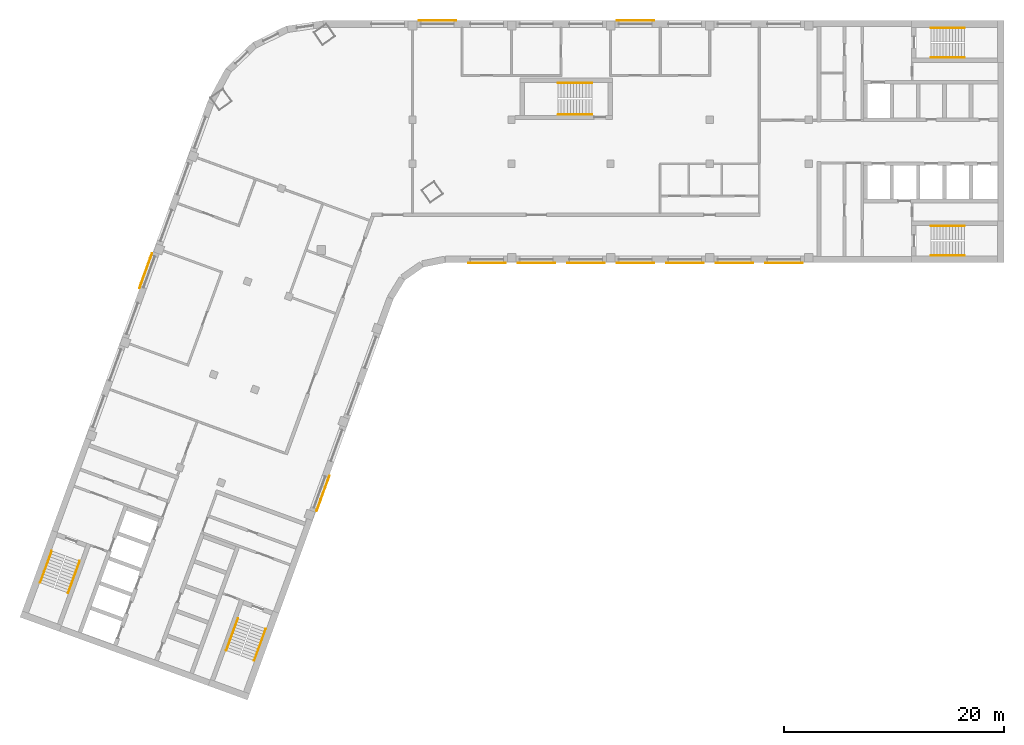
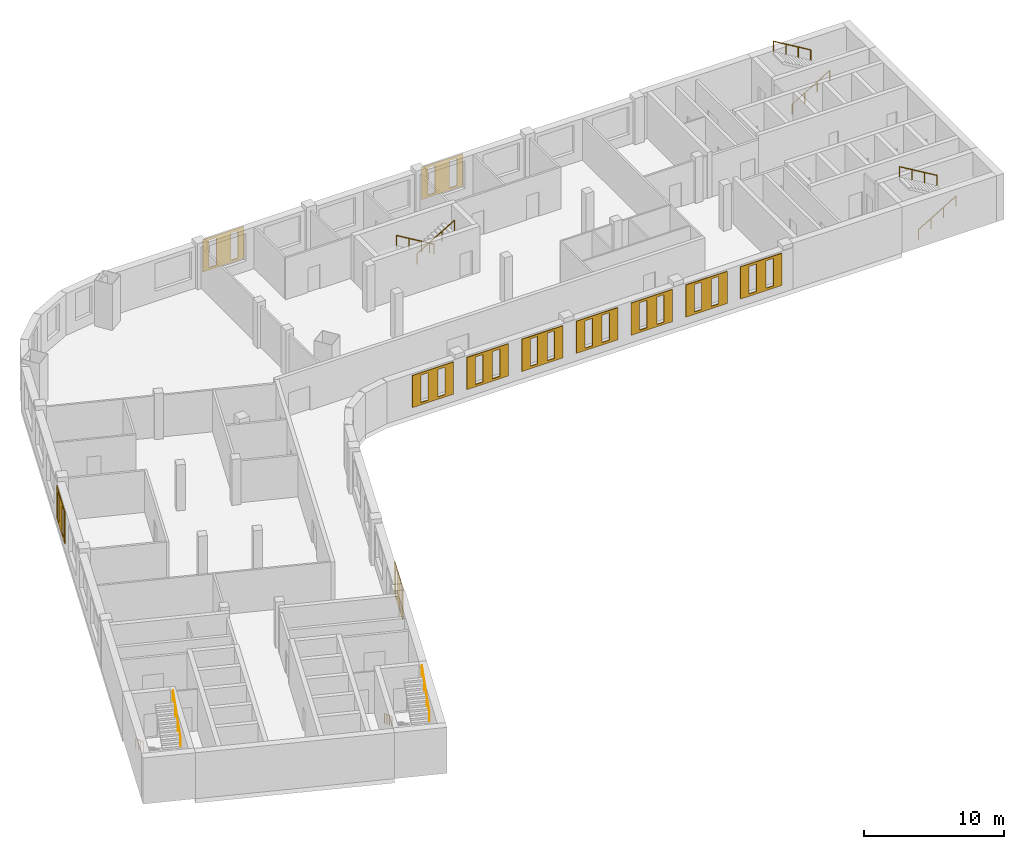
# One storey, part 8 of 8: 11 coverings, 10 railings.
"""IFC4 building model written with IfcOpenShell, lengths in metres."""

from ifc_helpers import new_model, si_unit, direction, frame, origin, origin_2d, place, context, subcontext, project, spatial, polyline, circle, outline, extrude, material, material_profile, profile_set, type_object, element, save


model = new_model("IFC4")

# Units and contexts
model_context = context("Model", 3, precision=1e-05, world=origin(), true_north=direction((0.0, 1.0)))
body_context = subcontext(model_context, "Body", "Model", "MODEL_VIEW")
ifc_project = project(units=[si_unit("LENGTHUNIT", "METRE"), si_unit("AREAUNIT", "SQUARE_METRE"), si_unit("VOLUMEUNIT", "CUBIC_METRE"), si_unit("PLANEANGLEUNIT", "RADIAN"), si_unit("MASSUNIT", "GRAM", prefix="KILO")], contexts=[model_context])

# Site, building, storey
site_placement = place(None, origin())
site = spatial("IfcSite", under=ifc_project, at=site_placement, CompositionType="ELEMENT")
building_placement = place(site_placement, origin())
building = spatial("IfcBuilding", under=site, at=building_placement, Name="Skarvind Civic Tower", CompositionType="ELEMENT")
storey_placement = place(building_placement, frame((0.0, 0.0, 134.5)))
storey = spatial("IfcBuildingStorey", under=building, at=storey_placement, Name="L31", CompositionType="ELEMENT", Elevation=134.5)

# Railings
ifc_material_1 = material(Name="Painted steel handrail", Category="steel")
railing_type = type_object("IfcRailingType", Name="Stair handrail 900", PredefinedType="HANDRAIL", material=ifc_material_1)
railing_1_placement = place(storey_placement, frame((101.35009765625, 135.64990234375, 0.166748046875)))
element("IfcRailing", 1, at=railing_1_placement, inside=storey, type_object=railing_type, Name="Stair handrail", PredefinedType="HANDRAIL", context=body_context, shape_type="SweptSolid", body=[
    extrude(circle(Radius=0.02392578125, at=origin_2d()), frame((0.0, 0.0, 0.8759765625), z_axis=(0.859290745958, 0.0, 0.51148745235), x_axis=(0.0, 1.0, 0.0)), (0.0, 0.0, 1.0), 3.584228515625),
    extrude(circle(Radius=0.02099609375, at=origin_2d()), origin(), (0.0, 0.0, 1.0), 0.851806640625),
    extrude(circle(Radius=0.02099609375, at=origin_2d()), frame((1.026611328125, 0.0, 0.611083984375)), (0.0, 0.0, 1.0), 0.851806640625),
    extrude(circle(Radius=0.02099609375, at=origin_2d()), frame((2.05322265625, 0.0, 1.22216796875)), (0.0, 0.0, 1.0), 0.851806640625),
    extrude(circle(Radius=0.02099609375, at=origin_2d()), frame((3.079833984375, 0.0, 1.833251953125)), (0.0, 0.0, 1.0), 0.851806640625),
])
railing_2_placement = place(storey_placement, frame((104.429931640625, 138.35009765625, 2.166748046875)))
element("IfcRailing", 2, at=railing_2_placement, inside=storey, type_object=railing_type, Name="Stair handrail", PredefinedType="HANDRAIL", context=body_context, shape_type="SweptSolid", body=[
    extrude(circle(Radius=0.02392578125, at=origin_2d()), frame((0.0, 0.0, 0.8759765625), z_axis=(-0.859290745958, 0.0, 0.51148745235), x_axis=(0.0, -1.0, 0.0)), (0.0, 0.0, 1.0), 3.584228515625),
    extrude(circle(Radius=0.02099609375, at=origin_2d()), origin(), (0.0, 0.0, 1.0), 0.851806640625),
    extrude(circle(Radius=0.02099609375, at=origin_2d()), frame((-1.026611328125, 0.0, 0.611083984375)), (0.0, 0.0, 1.0), 0.851806640625),
    extrude(circle(Radius=0.02099609375, at=origin_2d()), frame((-2.05322265625, 0.0, 1.22216796875)), (0.0, 0.0, 1.0), 0.851806640625),
    extrude(circle(Radius=0.02099609375, at=origin_2d()), frame((-3.079833984375, 0.0, 1.833251953125)), (0.0, 0.0, 1.0), 0.851806640625),
])
railing_3_placement = place(storey_placement, frame((101.35009765625, 117.64990234375, 0.166748046875)))
element("IfcRailing", 3, at=railing_3_placement, inside=storey, type_object=railing_type, Name="Stair handrail", PredefinedType="HANDRAIL", context=body_context, shape_type="SweptSolid", body=[
    extrude(circle(Radius=0.02392578125, at=origin_2d()), frame((0.0, 0.0, 0.8759765625), z_axis=(0.859290745958, 0.0, 0.51148745235), x_axis=(0.0, 1.0, 0.0)), (0.0, 0.0, 1.0), 3.584228515625),
    extrude(circle(Radius=0.02099609375, at=origin_2d()), origin(), (0.0, 0.0, 1.0), 0.851806640625),
    extrude(circle(Radius=0.02099609375, at=origin_2d()), frame((1.026611328125, 0.0, 0.611083984375)), (0.0, 0.0, 1.0), 0.851806640625),
    extrude(circle(Radius=0.02099609375, at=origin_2d()), frame((2.05322265625, 0.0, 1.22216796875)), (0.0, 0.0, 1.0), 0.851806640625),
    extrude(circle(Radius=0.02099609375, at=origin_2d()), frame((3.079833984375, 0.0, 1.833251953125)), (0.0, 0.0, 1.0), 0.851806640625),
])
railing_4_placement = place(storey_placement, frame((104.429931640625, 120.35009765625, 2.166748046875)))
element("IfcRailing", 4, at=railing_4_placement, inside=storey, type_object=railing_type, Name="Stair handrail", PredefinedType="HANDRAIL", context=body_context, shape_type="SweptSolid", body=[
    extrude(circle(Radius=0.02392578125, at=origin_2d()), frame((0.0, 0.0, 0.8759765625), z_axis=(-0.859290745958, 0.0, 0.51148745235), x_axis=(0.0, -1.0, 0.0)), (0.0, 0.0, 1.0), 3.584228515625),
    extrude(circle(Radius=0.02099609375, at=origin_2d()), origin(), (0.0, 0.0, 1.0), 0.851806640625),
    extrude(circle(Radius=0.02099609375, at=origin_2d()), frame((-1.026611328125, 0.0, 0.611083984375)), (0.0, 0.0, 1.0), 0.851806640625),
    extrude(circle(Radius=0.02099609375, at=origin_2d()), frame((-2.05322265625, 0.0, 1.22216796875)), (0.0, 0.0, 1.0), 0.851806640625),
    extrude(circle(Radius=0.02099609375, at=origin_2d()), frame((-3.079833984375, 0.0, 1.833251953125)), (0.0, 0.0, 1.0), 0.851806640625),
])
railing_5_placement = place(storey_placement, frame((38.362060546875, 84.64794921875, 0.166748046875)))
element("IfcRailing", 5, at=railing_5_placement, inside=storey, type_object=railing_type, Name="Stair handrail", PredefinedType="HANDRAIL", context=body_context, shape_type="SweptSolid", body=[
    extrude(circle(Radius=0.02392578125, at=origin_2d()), frame((0.0, 0.0, 0.8759765625), z_axis=(-0.293908055923, -0.807480881337, 0.511461319103), x_axis=(0.939689235759, -0.342029443467, 0.0)), (0.0, 0.0, 1.0), 3.584228515625),
    extrude(circle(Radius=0.02099609375, at=origin_2d()), origin(), (0.0, 0.0, 1.0), 0.851806640625),
    extrude(circle(Radius=0.02099609375, at=origin_2d()), frame((-0.35107421875, -0.96484375, 0.611083984375)), (0.0, 0.0, 1.0), 0.851806640625),
    extrude(circle(Radius=0.02099609375, at=origin_2d()), frame((-0.702392578125, -1.929443359375, 1.22216796875)), (0.0, 0.0, 1.0), 0.851806640625),
    extrude(circle(Radius=0.02099609375, at=origin_2d()), frame((-1.053466796875, -2.894287109375, 1.833251953125)), (0.0, 0.0, 1.0), 0.851806640625),
])
railing_6_placement = place(storey_placement, frame((39.845703125, 80.830078125, 2.166748046875)))
element("IfcRailing", 6, at=railing_6_placement, inside=storey, type_object=railing_type, Name="Stair handrail", PredefinedType="HANDRAIL", context=body_context, shape_type="SweptSolid", body=[
    extrude(circle(Radius=0.02392578125, at=origin_2d()), frame((0.0, 0.0, 0.8759765625), z_axis=(0.293908055923, 0.807480881337, 0.511461319103), x_axis=(-0.939689235759, 0.342029443467, 0.0)), (0.0, 0.0, 1.0), 3.584228515625),
    extrude(circle(Radius=0.02099609375, at=origin_2d()), origin(), (0.0, 0.0, 1.0), 0.851806640625),
    extrude(circle(Radius=0.02099609375, at=origin_2d()), frame((0.35107421875, 0.96484375, 0.611083984375)), (0.0, 0.0, 1.0), 0.851806640625),
    extrude(circle(Radius=0.02099609375, at=origin_2d()), frame((0.702392578125, 1.929443359375, 1.22216796875)), (0.0, 0.0, 1.0), 0.851806640625),
    extrude(circle(Radius=0.02099609375, at=origin_2d()), frame((1.053466796875, 2.894287109375, 1.833251953125)), (0.0, 0.0, 1.0), 0.851806640625),
])
railing_7_placement = place(storey_placement, frame((21.447509765625, 90.80419921875, 0.166748046875)))
element("IfcRailing", 7, at=railing_7_placement, inside=storey, type_object=railing_type, Name="Stair handrail", PredefinedType="HANDRAIL", context=body_context, shape_type="SweptSolid", body=[
    extrude(circle(Radius=0.02392578125, at=origin_2d()), frame((0.0, 0.0, 0.8759765625), z_axis=(-0.293845824691, -0.807497044902, 0.511471557163), x_axis=(0.939714709796, -0.34195944817, 0.0)), (0.0, 0.0, 1.0), 3.584228515625),
    extrude(circle(Radius=0.02099609375, at=origin_2d()), origin(), (0.0, 0.0, 1.0), 0.851806640625),
    extrude(circle(Radius=0.02099609375, at=origin_2d()), frame((-0.35107421875, -0.96484375, 0.611083984375)), (0.0, 0.0, 1.0), 0.851806640625),
    extrude(circle(Radius=0.02099609375, at=origin_2d()), frame((-0.7021484375, -1.929443359375, 1.22216796875)), (0.0, 0.0, 1.0), 0.851806640625),
    extrude(circle(Radius=0.02099609375, at=origin_2d()), frame((-1.05322265625, -2.894287109375, 1.833251953125)), (0.0, 0.0, 1.0), 0.851806640625),
])
railing_8_placement = place(storey_placement, frame((22.931396484375, 86.986572265625, 2.166748046875)))
element("IfcRailing", 8, at=railing_8_placement, inside=storey, type_object=railing_type, Name="Stair handrail", PredefinedType="HANDRAIL", context=body_context, shape_type="SweptSolid", body=[
    extrude(circle(Radius=0.02392578125, at=origin_2d()), frame((0.0, 0.0, 0.8759765625), z_axis=(0.293908055923, 0.807480881337, 0.511461319103), x_axis=(-0.939689235759, 0.342029443467, 0.0)), (0.0, 0.0, 1.0), 3.584228515625),
    extrude(circle(Radius=0.02099609375, at=origin_2d()), origin(), (0.0, 0.0, 1.0), 0.851806640625),
    extrude(circle(Radius=0.02099609375, at=origin_2d()), frame((0.35107421875, 0.96484375, 0.611083984375)), (0.0, 0.0, 1.0), 0.851806640625),
    extrude(circle(Radius=0.02099609375, at=origin_2d()), frame((0.702392578125, 1.929443359375, 1.22216796875)), (0.0, 0.0, 1.0), 0.851806640625),
    extrude(circle(Radius=0.02099609375, at=origin_2d()), frame((1.053466796875, 2.894287109375, 1.833251953125)), (0.0, 0.0, 1.0), 0.851806640625),
])
railing_9_placement = place(storey_placement, frame((70.550048828125, 133.35009765625, 0.166748046875)))
element("IfcRailing", 9, at=railing_9_placement, inside=storey, type_object=railing_type, Name="Stair handrail", PredefinedType="HANDRAIL", context=body_context, shape_type="SweptSolid", body=[
    extrude(circle(Radius=0.02392578125, at=origin_2d()), frame((0.0, 0.0, 0.8759765625), z_axis=(-0.859308565015, 0.0, 0.511457515432), x_axis=(0.0, -1.0, 0.0)), (0.0, 0.0, 1.0), 3.58447265625),
    extrude(circle(Radius=0.02099609375, at=origin_2d()), origin(), (0.0, 0.0, 1.0), 0.851806640625),
    extrude(circle(Radius=0.02099609375, at=origin_2d()), frame((-1.026611328125, 0.0, 0.611083984375)), (0.0, 0.0, 1.0), 0.851806640625),
    extrude(circle(Radius=0.02099609375, at=origin_2d()), frame((-2.053466796875, 0.0, 1.22216796875)), (0.0, 0.0, 1.0), 0.851806640625),
    extrude(circle(Radius=0.02099609375, at=origin_2d()), frame((-3.080078125, 0.0, 1.833251953125)), (0.0, 0.0, 1.0), 0.851806640625),
])
railing_10_placement = place(storey_placement, frame((67.469970703125, 130.449951171875, 2.166748046875)))
element("IfcRailing", 10, at=railing_10_placement, inside=storey, type_object=railing_type, Name="Stair handrail", PredefinedType="HANDRAIL", context=body_context, shape_type="SweptSolid", body=[
    extrude(circle(Radius=0.02392578125, at=origin_2d()), frame((0.0, 0.0, 0.8759765625), z_axis=(0.859308565015, 0.0, 0.511457515432), x_axis=(0.0, 1.0, 0.0)), (0.0, 0.0, 1.0), 3.58447265625),
    extrude(circle(Radius=0.02099609375, at=origin_2d()), origin(), (0.0, 0.0, 1.0), 0.851806640625),
    extrude(circle(Radius=0.02099609375, at=origin_2d()), frame((1.026611328125, 0.0, 0.611083984375)), (0.0, 0.0, 1.0), 0.851806640625),
    extrude(circle(Radius=0.02099609375, at=origin_2d()), frame((2.053466796875, 0.0, 1.22216796875)), (0.0, 0.0, 1.0), 0.851806640625),
    extrude(circle(Radius=0.02099609375, at=origin_2d()), frame((3.080078125, 0.0, 1.833251953125)), (0.0, 0.0, 1.0), 0.851806640625),
])

# Coverings
ifc_material_2 = material(Name="Terracotta", Category="masonry")
ifc_material_profile_1 = material_profile(ifc_material_2, outline(polyline([(-1.699951171875, -1.39990234375), (1.699951171875, -1.39990234375), (1.699951171875, 1.39990234375), (-1.699951171875, 1.39990234375), (-1.699951171875, -1.39990234375)]), holes=[polyline([(-1.0, -1.18994140625), (-0.39990234375, -1.18994140625), (-0.39990234375, 1.18994140625), (-1.0, 1.18994140625), (-1.0, -1.18994140625)]), polyline([(0.39990234375, -1.18994140625), (1.0, -1.18994140625), (1.0, 1.18994140625), (0.39990234375, 1.18994140625), (0.39990234375, -1.18994140625)])]), Name="TERRACOTTA SCREEN 3400 x 2800, SLIT PITCH 1400")
ifc_profile_set_1 = profile_set([ifc_material_profile_1], Name="Terracotta")
covering_type_1 = type_object("IfcCoveringType", Name="TERRACOTTA SCREEN 3400 x 2800, SLIT PITCH 1400", PredefinedType="CLADDING", material=ifc_profile_set_1)
for number, where, z_axis, x_axis, name in (
    (11, (88.0, 117.0, 2.10009765625), (0.0, -1.0, 0.0), (1.0, 0.0, 0.0), "TERRACOTTA SCREEN"),
    (12, (83.5, 117.0, 2.10009765625), (0.0, -1.0, 0.0), (1.0, 0.0, 0.0), "TERRACOTTA SCREEN"),
    (13, (79.0, 117.0, 2.10009765625), (0.0, -1.0, 0.0), (1.0, 0.0, 0.0), "TERRACOTTA SCREEN"),
    (14, (74.5, 117.0, 2.10009765625), (0.0, -1.0, 0.0), (1.0, 0.0, 0.0), "TERRACOTTA SCREEN"),
    (15, (70.0, 117.0, 2.10009765625), (0.0, -1.0, 0.0), (1.0, 0.0, 0.0), "TERRACOTTA SCREEN"),
    (16, (65.5, 117.0, 2.10009765625), (0.0, -1.0, 0.0), (1.0, 0.0, 0.0), "TERRACOTTA SCREEN"),
    (17, (61.0, 117.0, 2.10009765625), (0.0, -1.0, 0.0), (1.0, 0.0, 0.0), "TERRACOTTA SCREEN"),
):
    element("IfcCovering", number, at=place(storey_placement, frame(where, z_axis=z_axis, x_axis=x_axis)), inside=storey, type_object=covering_type_1, Name=name, PredefinedType="CLADDING", context=body_context, shape_type="SweptSolid", body=[
        extrude(outline(polyline([(-1.699951171875, -1.39990234375), (1.699951171875, -1.39990234375), (1.699951171875, 1.39990234375), (-1.699951171875, 1.39990234375), (-1.699951171875, -1.39990234375)]), holes=[polyline([(-1.0, -1.18994140625), (-0.39990234375, -1.18994140625), (-0.39990234375, 1.18994140625), (-1.0, 1.18994140625), (-1.0, -1.18994140625)]), polyline([(0.39990234375, -1.18994140625), (1.0, -1.18994140625), (1.0, 1.18994140625), (0.39990234375, 1.18994140625), (0.39990234375, -1.18994140625)])]), origin(), (0.0, 0.0, 1.0), 0.06005859375),
    ])
ifc_material_profile_2 = material_profile(ifc_material_2, outline(polyline([(-1.699951171875, -1.39990234375), (1.699951171875, -1.39990234375), (1.699951171875, 1.39990234375), (-1.699951171875, 1.39990234375), (-1.699951171875, -1.39990234375)]), holes=[polyline([(-1.199951171875, -1.18994140625), (-0.60009765625, -1.18994140625), (-0.60009765625, 1.18994140625), (-1.199951171875, 1.18994140625), (-1.199951171875, -1.18994140625)]), polyline([(0.60009765625, -1.18994140625), (1.199951171875, -1.18994140625), (1.199951171875, 1.18994140625), (0.60009765625, 1.18994140625), (0.60009765625, -1.18994140625)])]), Name="TERRACOTTA SCREEN 3400 x 2800, SLIT PITCH 1800")
ifc_profile_set_2 = profile_set([ifc_material_profile_2], Name="Terracotta")
covering_type_2 = type_object("IfcCoveringType", Name="TERRACOTTA SCREEN 3400 x 2800, SLIT PITCH 1800", PredefinedType="CLADDING", material=ifc_profile_set_2)
for number, where, z_axis, x_axis, name in (
    (18, (46.075927734375, 96.047119140625, 2.10009765625), (0.939793423488, -0.341743063087, 0.0), (0.341743063087, 0.939793423488, 0.0), "TERRACOTTA SCREEN"),
    (19, (56.5, 139.0, 2.10009765625), (0.0, 1.0, 0.0), (-1.0, 0.0, 0.0), "TERRACOTTA SCREEN"),
    (20, (74.5, 139.0, 2.10009765625), (0.0, 1.0, 0.0), (-1.0, 0.0, 0.0), "TERRACOTTA SCREEN"),
    (21, (30.02001953125, 116.25732421875, 2.10009765625), (-0.939793423488, 0.341743063087, 0.0), (-0.341743063087, -0.939793423488, 0.0), "TERRACOTTA SCREEN"),
):
    element("IfcCovering", number, at=place(storey_placement, frame(where, z_axis=z_axis, x_axis=x_axis)), inside=storey, type_object=covering_type_2, Name=name, PredefinedType="CLADDING", context=body_context, shape_type="SweptSolid", body=[
        extrude(outline(polyline([(-1.699951171875, -1.39990234375), (1.699951171875, -1.39990234375), (1.699951171875, 1.39990234375), (-1.699951171875, 1.39990234375), (-1.699951171875, -1.39990234375)]), holes=[polyline([(-1.199951171875, -1.18994140625), (-0.60009765625, -1.18994140625), (-0.60009765625, 1.18994140625), (-1.199951171875, 1.18994140625), (-1.199951171875, -1.18994140625)]), polyline([(0.60009765625, -1.18994140625), (1.199951171875, -1.18994140625), (1.199951171875, 1.18994140625), (0.60009765625, 1.18994140625), (0.60009765625, -1.18994140625)])]), origin(), (0.0, 0.0, 1.0), 0.06005859375),
    ])

save(model, "model.ifc")
